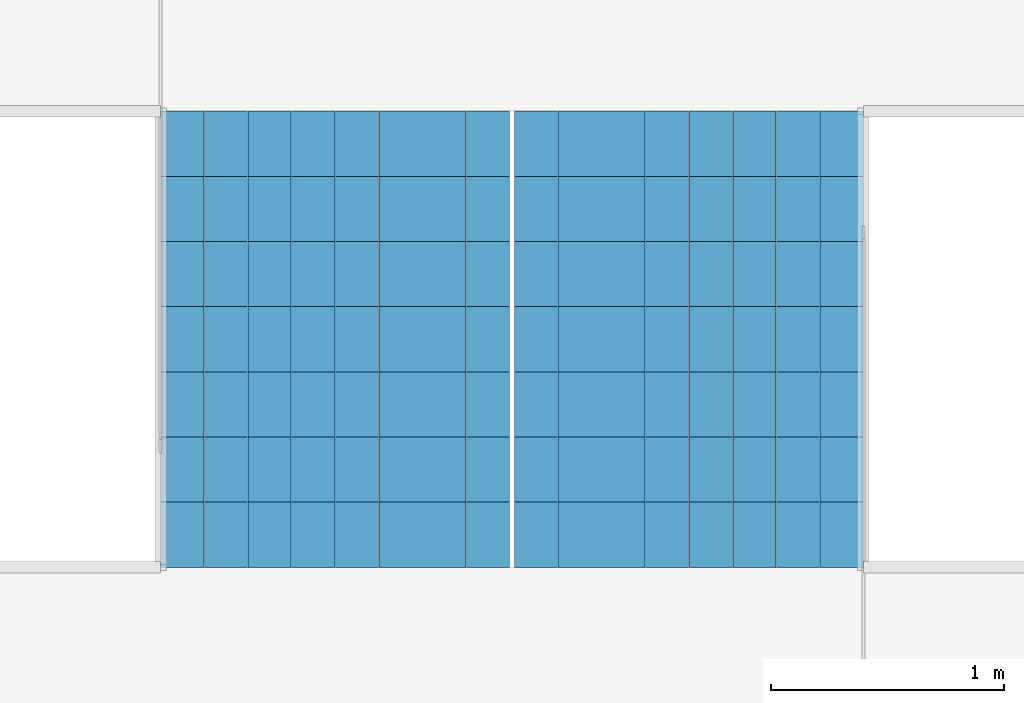
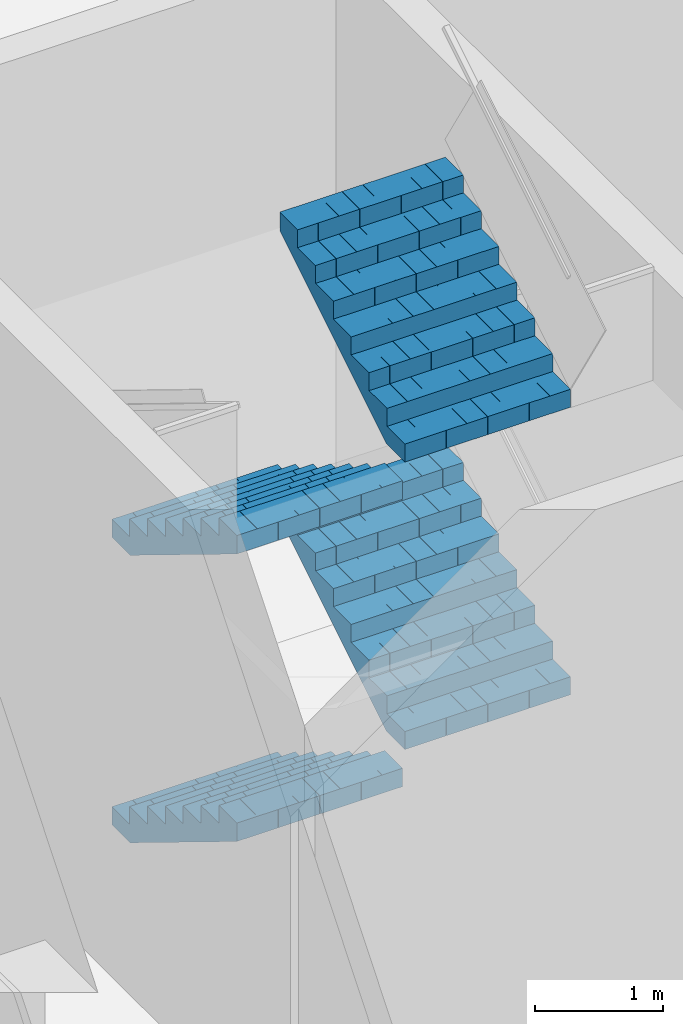
# One storey, part 25 of 27: 4 stair flights, 1 element without a shape of its own.
"""IFC4 building model written with IfcOpenShell, lengths in metres."""

from ifc_helpers import new_model, si_unit, direction, frame, origin, place, context, subcontext, project, spatial, polyline, outline, extrude, material, type_object, element, aggregate, save


model = new_model("IFC4")

# Units and contexts
model_context = context("Model", 3, precision=1e-05, world=origin(), true_north=direction((0.0, 1.0)))
body_context = subcontext(model_context, "Body", "Model", "MODEL_VIEW")
ifc_project = project(units=[si_unit("LENGTHUNIT", "METRE"), si_unit("AREAUNIT", "SQUARE_METRE"), si_unit("VOLUMEUNIT", "CUBIC_METRE"), si_unit("PLANEANGLEUNIT", "RADIAN"), si_unit("MASSUNIT", "GRAM", prefix="KILO")], contexts=[model_context])

# Site, building, storey
site_placement = place(None, origin())
site = spatial("IfcSite", under=ifc_project, at=site_placement, CompositionType="ELEMENT")
building_placement = place(site_placement, origin())
building = spatial("IfcBuilding", under=site, at=building_placement, Name="Kolab Exchange Tower", CompositionType="ELEMENT")
storey_placement = place(building_placement, frame((0.0, 0.0, 66.39990234375)))
storey = spatial("IfcBuildingStorey", under=building, at=storey_placement, Name="L12", CompositionType="ELEMENT", Elevation=66.39990234375)

# Stair, stair flights
ifc_material = material(Name="Concrete C50/60", Category="concrete")
stair_type = type_object("IfcStairType", Name="STAIR ST4 RISER 171.9", PredefinedType="DOUBLE_RETURN_STAIR", material=ifc_material)
stair_placement = place(storey_placement, origin())
stair = element("IfcStair", 1, at=stair_placement, inside=storey, type_object=stair_type, Name="Stair 4", PredefinedType="DOUBLE_RETURN_STAIR")
stair_flight_type = type_object("IfcStairFlightType", Name="STAIR FLIGHT 1500 RISER 171.9", PredefinedType="STRAIGHT", material=ifc_material)
stair_flight_1_placement = place(storey_placement, frame((18.43994140625, 0.64990234375, 0.0), z_axis=(0.0, 0.0, 1.0), x_axis=(0.0, -1.0, 0.0)))
stair_flight_1 = element("IfcStairFlight", 2, at=stair_flight_1_placement, type_object=stair_flight_type, Name="ST4 flight 1", NumberOfRisers=8, NumberOfTreads=7, PredefinedType="STRAIGHT", RiserHeight=0.171875, TreadLength=0.28, context=body_context, shape_type="SweptSolid", body=[
    extrude(outline(polyline([(0.0, 0.0), (0.0, 0.171875), (0.280029296875, 0.171875), (0.280029296875, 0.34375), (0.56005859375, 0.34375), (0.56005859375, 0.515625), (0.840087890625, 0.515625), (0.840087890625, 0.6875), (1.1201171875, 0.6875), (1.1201171875, 0.859375), (1.39990234375, 0.859375), (1.39990234375, 1.03125), (1.679931640625, 1.03125), (1.679931640625, 1.203125), (1.9599609375, 1.203125), (1.9599609375, 1.375), (1.9599609375, 1.02734375), (0.28662109375, 0.0), (0.0, 0.0)])), frame((0.0, 0.75, 0.0), z_axis=(0.0, -1.0, 0.0), x_axis=(1.0, 0.0, 0.0)), (0.0, 0.0, 1.0), 0.185791015625),
    extrude(outline(polyline([(0.0, 0.0), (0.0, 0.171875), (0.280029296875, 0.171875), (0.280029296875, 0.34375), (0.56005859375, 0.34375), (0.56005859375, 0.515625), (0.840087890625, 0.515625), (0.840087890625, 0.6875), (1.1201171875, 0.6875), (1.1201171875, 0.859375), (1.39990234375, 0.859375), (1.39990234375, 1.03125), (1.679931640625, 1.03125), (1.679931640625, 1.203125), (1.9599609375, 1.203125), (1.9599609375, 1.375), (1.9599609375, 1.02734375), (0.28662109375, 0.0), (0.0, 0.0)])), frame((0.0, 0.562255859375, 0.0), z_axis=(0.0, -1.0, 0.0), x_axis=(1.0, 0.0, 0.0)), (0.0, 0.0, 1.0), 0.185791015625),
    extrude(outline(polyline([(0.0, 0.0), (0.0, 0.171875), (0.280029296875, 0.171875), (0.280029296875, 0.34375), (0.56005859375, 0.34375), (0.56005859375, 0.515625), (0.840087890625, 0.515625), (0.840087890625, 0.6875), (1.1201171875, 0.6875), (1.1201171875, 0.859375), (1.39990234375, 0.859375), (1.39990234375, 1.03125), (1.679931640625, 1.03125), (1.679931640625, 1.203125), (1.9599609375, 1.203125), (1.9599609375, 1.375), (1.9599609375, 1.02734375), (0.28662109375, 0.0), (0.0, 0.0)])), frame((0.0, 0.37451171875, 0.0), z_axis=(0.0, -1.0, 0.0), x_axis=(1.0, 0.0, 0.0)), (0.0, 0.0, 1.0), 0.185791015625),
    extrude(outline(polyline([(0.0, 0.0), (0.0, 0.171875), (0.280029296875, 0.171875), (0.280029296875, 0.34375), (0.56005859375, 0.34375), (0.56005859375, 0.515625), (0.840087890625, 0.515625), (0.840087890625, 0.6875), (1.1201171875, 0.6875), (1.1201171875, 0.859375), (1.39990234375, 0.859375), (1.39990234375, 1.03125), (1.679931640625, 1.03125), (1.679931640625, 1.203125), (1.9599609375, 1.203125), (1.9599609375, 1.375), (1.9599609375, 1.02734375), (0.28662109375, 0.0), (0.0, 0.0)])), frame((0.0, 0.186767578125, 0.0), z_axis=(0.0, -1.0, 0.0), x_axis=(1.0, 0.0, 0.0)), (0.0, 0.0, 1.0), 0.185791015625),
    extrude(outline(polyline([(0.0, 0.0), (0.0, 0.171875), (0.280029296875, 0.171875), (0.280029296875, 0.34375), (0.56005859375, 0.34375), (0.56005859375, 0.515625), (0.840087890625, 0.515625), (0.840087890625, 0.6875), (1.1201171875, 0.6875), (1.1201171875, 0.859375), (1.39990234375, 0.859375), (1.39990234375, 1.03125), (1.679931640625, 1.03125), (1.679931640625, 1.203125), (1.9599609375, 1.203125), (1.9599609375, 1.375), (1.9599609375, 1.02734375), (0.28662109375, 0.0), (0.0, 0.0)])), frame((0.0, -0.0009765625, 0.0), z_axis=(0.0, -1.0, 0.0), x_axis=(1.0, 0.0, 0.0)), (0.0, 0.0, 1.0), 0.185791015625),
    extrude(outline(polyline([(0.0, 0.0), (0.0, 0.171875), (0.280029296875, 0.171875), (0.280029296875, 0.34375), (0.56005859375, 0.34375), (0.56005859375, 0.515625), (0.840087890625, 0.515625), (0.840087890625, 0.6875), (1.1201171875, 0.6875), (1.1201171875, 0.859375), (1.39990234375, 0.859375), (1.39990234375, 1.03125), (1.679931640625, 1.03125), (1.679931640625, 1.203125), (1.9599609375, 1.203125), (1.9599609375, 1.375), (1.9599609375, 1.02734375), (0.28662109375, 0.0), (0.0, 0.0)])), frame((0.0, -0.188720703125, 0.0), z_axis=(0.0, -1.0, 0.0), x_axis=(1.0, 0.0, 0.0)), (0.0, 0.0, 1.0), 0.185791015625),
    extrude(outline(polyline([(0.0, 0.0), (0.0, 0.171875), (0.280029296875, 0.171875), (0.280029296875, 0.34375), (0.56005859375, 0.34375), (0.56005859375, 0.515625), (0.840087890625, 0.515625), (0.840087890625, 0.6875), (1.1201171875, 0.6875), (1.1201171875, 0.859375), (1.39990234375, 0.859375), (1.39990234375, 1.03125), (1.679931640625, 1.03125), (1.679931640625, 1.203125), (1.9599609375, 1.203125), (1.9599609375, 1.375), (1.9599609375, 1.02734375), (0.28662109375, 0.0), (0.0, 0.0)])), frame((0.0, -0.37646484375, 0.0), z_axis=(0.0, -1.0, 0.0), x_axis=(1.0, 0.0, 0.0)), (0.0, 0.0, 1.0), 0.185791015625),
    extrude(outline(polyline([(0.0, 0.0), (0.0, 0.171875), (0.280029296875, 0.171875), (0.280029296875, 0.34375), (0.56005859375, 0.34375), (0.56005859375, 0.515625), (0.840087890625, 0.515625), (0.840087890625, 0.6875), (1.1201171875, 0.6875), (1.1201171875, 0.859375), (1.39990234375, 0.859375), (1.39990234375, 1.03125), (1.679931640625, 1.03125), (1.679931640625, 1.203125), (1.9599609375, 1.203125), (1.9599609375, 1.375), (1.9599609375, 1.02734375), (0.28662109375, 0.0), (0.0, 0.0)])), frame((0.0, -0.564208984375, 0.0), z_axis=(0.0, -1.0, 0.0), x_axis=(1.0, 0.0, 0.0)), (0.0, 0.0, 1.0), 0.185791015625),
])
stair_flight_2_placement = place(storey_placement, frame((19.9599609375, -1.31005859375, 1.375), z_axis=(0.0, 0.0, 1.0), x_axis=(0.0, 1.0, 0.0)))
stair_flight_2 = element("IfcStairFlight", 3, at=stair_flight_2_placement, type_object=stair_flight_type, Name="ST4 flight 2", NumberOfRisers=8, NumberOfTreads=7, PredefinedType="STRAIGHT", RiserHeight=0.171875, TreadLength=0.28, context=body_context, shape_type="SweptSolid", body=[
    extrude(outline(polyline([(0.0, 0.0), (0.0, 0.171875), (0.280029296875, 0.171875), (0.280029296875, 0.34375), (0.56005859375, 0.34375), (0.56005859375, 0.515625), (0.840087890625, 0.515625), (0.840087890625, 0.6875), (1.1201171875, 0.6875), (1.1201171875, 0.859375), (1.39990234375, 0.859375), (1.39990234375, 1.03125), (1.679931640625, 1.03125), (1.679931640625, 1.203125), (1.9599609375, 1.203125), (1.9599609375, 1.375), (1.9599609375, 1.02734375), (0.28662109375, 0.0), (0.0, 0.0)])), frame((0.0, 0.75, 0.0), z_axis=(0.0, -1.0, 0.0), x_axis=(1.0, 0.0, 0.0)), (0.0, 0.0, 1.0), 0.185791015625),
    extrude(outline(polyline([(0.0, 0.0), (0.0, 0.171875), (0.280029296875, 0.171875), (0.280029296875, 0.34375), (0.56005859375, 0.34375), (0.56005859375, 0.515625), (0.840087890625, 0.515625), (0.840087890625, 0.6875), (1.1201171875, 0.6875), (1.1201171875, 0.859375), (1.39990234375, 0.859375), (1.39990234375, 1.03125), (1.679931640625, 1.03125), (1.679931640625, 1.203125), (1.9599609375, 1.203125), (1.9599609375, 1.375), (1.9599609375, 1.02734375), (0.28662109375, 0.0), (0.0, 0.0)])), frame((0.0, 0.562255859375, 0.0), z_axis=(0.0, -1.0, 0.0), x_axis=(1.0, 0.0, 0.0)), (0.0, 0.0, 1.0), 0.185791015625),
    extrude(outline(polyline([(0.0, 0.0), (0.0, 0.171875), (0.280029296875, 0.171875), (0.280029296875, 0.34375), (0.56005859375, 0.34375), (0.56005859375, 0.515625), (0.840087890625, 0.515625), (0.840087890625, 0.6875), (1.1201171875, 0.6875), (1.1201171875, 0.859375), (1.39990234375, 0.859375), (1.39990234375, 1.03125), (1.679931640625, 1.03125), (1.679931640625, 1.203125), (1.9599609375, 1.203125), (1.9599609375, 1.375), (1.9599609375, 1.02734375), (0.28662109375, 0.0), (0.0, 0.0)])), frame((0.0, 0.37451171875, 0.0), z_axis=(0.0, -1.0, 0.0), x_axis=(1.0, 0.0, 0.0)), (0.0, 0.0, 1.0), 0.185791015625),
    extrude(outline(polyline([(0.0, 0.0), (0.0, 0.171875), (0.280029296875, 0.171875), (0.280029296875, 0.34375), (0.56005859375, 0.34375), (0.56005859375, 0.515625), (0.840087890625, 0.515625), (0.840087890625, 0.6875), (1.1201171875, 0.6875), (1.1201171875, 0.859375), (1.39990234375, 0.859375), (1.39990234375, 1.03125), (1.679931640625, 1.03125), (1.679931640625, 1.203125), (1.9599609375, 1.203125), (1.9599609375, 1.375), (1.9599609375, 1.02734375), (0.28662109375, 0.0), (0.0, 0.0)])), frame((0.0, 0.186767578125, 0.0), z_axis=(0.0, -1.0, 0.0), x_axis=(1.0, 0.0, 0.0)), (0.0, 0.0, 1.0), 0.185791015625),
    extrude(outline(polyline([(0.0, 0.0), (0.0, 0.171875), (0.280029296875, 0.171875), (0.280029296875, 0.34375), (0.56005859375, 0.34375), (0.56005859375, 0.515625), (0.840087890625, 0.515625), (0.840087890625, 0.6875), (1.1201171875, 0.6875), (1.1201171875, 0.859375), (1.39990234375, 0.859375), (1.39990234375, 1.03125), (1.679931640625, 1.03125), (1.679931640625, 1.203125), (1.9599609375, 1.203125), (1.9599609375, 1.375), (1.9599609375, 1.02734375), (0.28662109375, 0.0), (0.0, 0.0)])), frame((0.0, -0.0009765625, 0.0), z_axis=(0.0, -1.0, 0.0), x_axis=(1.0, 0.0, 0.0)), (0.0, 0.0, 1.0), 0.185791015625),
    extrude(outline(polyline([(0.0, 0.0), (0.0, 0.171875), (0.280029296875, 0.171875), (0.280029296875, 0.34375), (0.56005859375, 0.34375), (0.56005859375, 0.515625), (0.840087890625, 0.515625), (0.840087890625, 0.6875), (1.1201171875, 0.6875), (1.1201171875, 0.859375), (1.39990234375, 0.859375), (1.39990234375, 1.03125), (1.679931640625, 1.03125), (1.679931640625, 1.203125), (1.9599609375, 1.203125), (1.9599609375, 1.375), (1.9599609375, 1.02734375), (0.28662109375, 0.0), (0.0, 0.0)])), frame((0.0, -0.188720703125, 0.0), z_axis=(0.0, -1.0, 0.0), x_axis=(1.0, 0.0, 0.0)), (0.0, 0.0, 1.0), 0.185791015625),
    extrude(outline(polyline([(0.0, 0.0), (0.0, 0.171875), (0.280029296875, 0.171875), (0.280029296875, 0.34375), (0.56005859375, 0.34375), (0.56005859375, 0.515625), (0.840087890625, 0.515625), (0.840087890625, 0.6875), (1.1201171875, 0.6875), (1.1201171875, 0.859375), (1.39990234375, 0.859375), (1.39990234375, 1.03125), (1.679931640625, 1.03125), (1.679931640625, 1.203125), (1.9599609375, 1.203125), (1.9599609375, 1.375), (1.9599609375, 1.02734375), (0.28662109375, 0.0), (0.0, 0.0)])), frame((0.0, -0.37646484375, 0.0), z_axis=(0.0, -1.0, 0.0), x_axis=(1.0, 0.0, 0.0)), (0.0, 0.0, 1.0), 0.185791015625),
    extrude(outline(polyline([(0.0, 0.0), (0.0, 0.171875), (0.280029296875, 0.171875), (0.280029296875, 0.34375), (0.56005859375, 0.34375), (0.56005859375, 0.515625), (0.840087890625, 0.515625), (0.840087890625, 0.6875), (1.1201171875, 0.6875), (1.1201171875, 0.859375), (1.39990234375, 0.859375), (1.39990234375, 1.03125), (1.679931640625, 1.03125), (1.679931640625, 1.203125), (1.9599609375, 1.203125), (1.9599609375, 1.375), (1.9599609375, 1.02734375), (0.28662109375, 0.0), (0.0, 0.0)])), frame((0.0, -0.564208984375, 0.0), z_axis=(0.0, -1.0, 0.0), x_axis=(1.0, 0.0, 0.0)), (0.0, 0.0, 1.0), 0.185791015625),
])
stair_flight_3_placement = place(storey_placement, frame((18.43994140625, 0.64990234375, 2.75), z_axis=(0.0, 0.0, 1.0), x_axis=(0.0, -1.0, 0.0)))
stair_flight_3 = element("IfcStairFlight", 4, at=stair_flight_3_placement, type_object=stair_flight_type, Name="ST4 flight 3", NumberOfRisers=8, NumberOfTreads=7, PredefinedType="STRAIGHT", RiserHeight=0.171875, TreadLength=0.28, context=body_context, shape_type="SweptSolid", body=[
    extrude(outline(polyline([(0.0, 0.0), (0.0, 0.171875), (0.280029296875, 0.171875), (0.280029296875, 0.34375), (0.56005859375, 0.34375), (0.56005859375, 0.515625), (0.840087890625, 0.515625), (0.840087890625, 0.6875), (1.1201171875, 0.6875), (1.1201171875, 0.859375), (1.39990234375, 0.859375), (1.39990234375, 1.03125), (1.679931640625, 1.03125), (1.679931640625, 1.203125), (1.9599609375, 1.203125), (1.9599609375, 1.375), (1.9599609375, 1.02734375), (0.28662109375, 0.0), (0.0, 0.0)])), frame((0.0, 0.75, 0.0), z_axis=(0.0, -1.0, 0.0), x_axis=(1.0, 0.0, 0.0)), (0.0, 0.0, 1.0), 0.185791015625),
    extrude(outline(polyline([(0.0, 0.0), (0.0, 0.171875), (0.280029296875, 0.171875), (0.280029296875, 0.34375), (0.56005859375, 0.34375), (0.56005859375, 0.515625), (0.840087890625, 0.515625), (0.840087890625, 0.6875), (1.1201171875, 0.6875), (1.1201171875, 0.859375), (1.39990234375, 0.859375), (1.39990234375, 1.03125), (1.679931640625, 1.03125), (1.679931640625, 1.203125), (1.9599609375, 1.203125), (1.9599609375, 1.375), (1.9599609375, 1.02734375), (0.28662109375, 0.0), (0.0, 0.0)])), frame((0.0, 0.562255859375, 0.0), z_axis=(0.0, -1.0, 0.0), x_axis=(1.0, 0.0, 0.0)), (0.0, 0.0, 1.0), 0.185791015625),
    extrude(outline(polyline([(0.0, 0.0), (0.0, 0.171875), (0.280029296875, 0.171875), (0.280029296875, 0.34375), (0.56005859375, 0.34375), (0.56005859375, 0.515625), (0.840087890625, 0.515625), (0.840087890625, 0.6875), (1.1201171875, 0.6875), (1.1201171875, 0.859375), (1.39990234375, 0.859375), (1.39990234375, 1.03125), (1.679931640625, 1.03125), (1.679931640625, 1.203125), (1.9599609375, 1.203125), (1.9599609375, 1.375), (1.9599609375, 1.02734375), (0.28662109375, 0.0), (0.0, 0.0)])), frame((0.0, 0.37451171875, 0.0), z_axis=(0.0, -1.0, 0.0), x_axis=(1.0, 0.0, 0.0)), (0.0, 0.0, 1.0), 0.185791015625),
    extrude(outline(polyline([(0.0, 0.0), (0.0, 0.171875), (0.280029296875, 0.171875), (0.280029296875, 0.34375), (0.56005859375, 0.34375), (0.56005859375, 0.515625), (0.840087890625, 0.515625), (0.840087890625, 0.6875), (1.1201171875, 0.6875), (1.1201171875, 0.859375), (1.39990234375, 0.859375), (1.39990234375, 1.03125), (1.679931640625, 1.03125), (1.679931640625, 1.203125), (1.9599609375, 1.203125), (1.9599609375, 1.375), (1.9599609375, 1.02734375), (0.28662109375, 0.0), (0.0, 0.0)])), frame((0.0, 0.186767578125, 0.0), z_axis=(0.0, -1.0, 0.0), x_axis=(1.0, 0.0, 0.0)), (0.0, 0.0, 1.0), 0.185791015625),
    extrude(outline(polyline([(0.0, 0.0), (0.0, 0.171875), (0.280029296875, 0.171875), (0.280029296875, 0.34375), (0.56005859375, 0.34375), (0.56005859375, 0.515625), (0.840087890625, 0.515625), (0.840087890625, 0.6875), (1.1201171875, 0.6875), (1.1201171875, 0.859375), (1.39990234375, 0.859375), (1.39990234375, 1.03125), (1.679931640625, 1.03125), (1.679931640625, 1.203125), (1.9599609375, 1.203125), (1.9599609375, 1.375), (1.9599609375, 1.02734375), (0.28662109375, 0.0), (0.0, 0.0)])), frame((0.0, -0.0009765625, 0.0), z_axis=(0.0, -1.0, 0.0), x_axis=(1.0, 0.0, 0.0)), (0.0, 0.0, 1.0), 0.185791015625),
    extrude(outline(polyline([(0.0, 0.0), (0.0, 0.171875), (0.280029296875, 0.171875), (0.280029296875, 0.34375), (0.56005859375, 0.34375), (0.56005859375, 0.515625), (0.840087890625, 0.515625), (0.840087890625, 0.6875), (1.1201171875, 0.6875), (1.1201171875, 0.859375), (1.39990234375, 0.859375), (1.39990234375, 1.03125), (1.679931640625, 1.03125), (1.679931640625, 1.203125), (1.9599609375, 1.203125), (1.9599609375, 1.375), (1.9599609375, 1.02734375), (0.28662109375, 0.0), (0.0, 0.0)])), frame((0.0, -0.188720703125, 0.0), z_axis=(0.0, -1.0, 0.0), x_axis=(1.0, 0.0, 0.0)), (0.0, 0.0, 1.0), 0.185791015625),
    extrude(outline(polyline([(0.0, 0.0), (0.0, 0.171875), (0.280029296875, 0.171875), (0.280029296875, 0.34375), (0.56005859375, 0.34375), (0.56005859375, 0.515625), (0.840087890625, 0.515625), (0.840087890625, 0.6875), (1.1201171875, 0.6875), (1.1201171875, 0.859375), (1.39990234375, 0.859375), (1.39990234375, 1.03125), (1.679931640625, 1.03125), (1.679931640625, 1.203125), (1.9599609375, 1.203125), (1.9599609375, 1.375), (1.9599609375, 1.02734375), (0.28662109375, 0.0), (0.0, 0.0)])), frame((0.0, -0.37646484375, 0.0), z_axis=(0.0, -1.0, 0.0), x_axis=(1.0, 0.0, 0.0)), (0.0, 0.0, 1.0), 0.185791015625),
    extrude(outline(polyline([(0.0, 0.0), (0.0, 0.171875), (0.280029296875, 0.171875), (0.280029296875, 0.34375), (0.56005859375, 0.34375), (0.56005859375, 0.515625), (0.840087890625, 0.515625), (0.840087890625, 0.6875), (1.1201171875, 0.6875), (1.1201171875, 0.859375), (1.39990234375, 0.859375), (1.39990234375, 1.03125), (1.679931640625, 1.03125), (1.679931640625, 1.203125), (1.9599609375, 1.203125), (1.9599609375, 1.375), (1.9599609375, 1.02734375), (0.28662109375, 0.0), (0.0, 0.0)])), frame((0.0, -0.564208984375, 0.0), z_axis=(0.0, -1.0, 0.0), x_axis=(1.0, 0.0, 0.0)), (0.0, 0.0, 1.0), 0.185791015625),
])
stair_flight_4_placement = place(storey_placement, frame((19.9599609375, -1.31005859375, 4.125), z_axis=(0.0, 0.0, 1.0), x_axis=(0.0, 1.0, 0.0)))
stair_flight_4 = element("IfcStairFlight", 5, at=stair_flight_4_placement, type_object=stair_flight_type, Name="ST4 flight 4", NumberOfRisers=8, NumberOfTreads=7, PredefinedType="STRAIGHT", RiserHeight=0.171875, TreadLength=0.28, context=body_context, shape_type="SweptSolid", body=[
    extrude(outline(polyline([(0.0, 0.0), (0.0, 0.171875), (0.280029296875, 0.171875), (0.280029296875, 0.34375), (0.56005859375, 0.34375), (0.56005859375, 0.515625), (0.840087890625, 0.515625), (0.840087890625, 0.6875), (1.1201171875, 0.6875), (1.1201171875, 0.859375), (1.39990234375, 0.859375), (1.39990234375, 1.03125), (1.679931640625, 1.03125), (1.679931640625, 1.203125), (1.9599609375, 1.203125), (1.9599609375, 1.375), (1.9599609375, 1.02734375), (0.28662109375, 0.0), (0.0, 0.0)])), frame((0.0, 0.75, 0.0), z_axis=(0.0, -1.0, 0.0), x_axis=(1.0, 0.0, 0.0)), (0.0, 0.0, 1.0), 0.185791015625),
    extrude(outline(polyline([(0.0, 0.0), (0.0, 0.171875), (0.280029296875, 0.171875), (0.280029296875, 0.34375), (0.56005859375, 0.34375), (0.56005859375, 0.515625), (0.840087890625, 0.515625), (0.840087890625, 0.6875), (1.1201171875, 0.6875), (1.1201171875, 0.859375), (1.39990234375, 0.859375), (1.39990234375, 1.03125), (1.679931640625, 1.03125), (1.679931640625, 1.203125), (1.9599609375, 1.203125), (1.9599609375, 1.375), (1.9599609375, 1.02734375), (0.28662109375, 0.0), (0.0, 0.0)])), frame((0.0, 0.562255859375, 0.0), z_axis=(0.0, -1.0, 0.0), x_axis=(1.0, 0.0, 0.0)), (0.0, 0.0, 1.0), 0.185791015625),
    extrude(outline(polyline([(0.0, 0.0), (0.0, 0.171875), (0.280029296875, 0.171875), (0.280029296875, 0.34375), (0.56005859375, 0.34375), (0.56005859375, 0.515625), (0.840087890625, 0.515625), (0.840087890625, 0.6875), (1.1201171875, 0.6875), (1.1201171875, 0.859375), (1.39990234375, 0.859375), (1.39990234375, 1.03125), (1.679931640625, 1.03125), (1.679931640625, 1.203125), (1.9599609375, 1.203125), (1.9599609375, 1.375), (1.9599609375, 1.02734375), (0.28662109375, 0.0), (0.0, 0.0)])), frame((0.0, 0.37451171875, 0.0), z_axis=(0.0, -1.0, 0.0), x_axis=(1.0, 0.0, 0.0)), (0.0, 0.0, 1.0), 0.185791015625),
    extrude(outline(polyline([(0.0, 0.0), (0.0, 0.171875), (0.280029296875, 0.171875), (0.280029296875, 0.34375), (0.56005859375, 0.34375), (0.56005859375, 0.515625), (0.840087890625, 0.515625), (0.840087890625, 0.6875), (1.1201171875, 0.6875), (1.1201171875, 0.859375), (1.39990234375, 0.859375), (1.39990234375, 1.03125), (1.679931640625, 1.03125), (1.679931640625, 1.203125), (1.9599609375, 1.203125), (1.9599609375, 1.375), (1.9599609375, 1.02734375), (0.28662109375, 0.0), (0.0, 0.0)])), frame((0.0, 0.186767578125, 0.0), z_axis=(0.0, -1.0, 0.0), x_axis=(1.0, 0.0, 0.0)), (0.0, 0.0, 1.0), 0.185791015625),
    extrude(outline(polyline([(0.0, 0.0), (0.0, 0.171875), (0.280029296875, 0.171875), (0.280029296875, 0.34375), (0.56005859375, 0.34375), (0.56005859375, 0.515625), (0.840087890625, 0.515625), (0.840087890625, 0.6875), (1.1201171875, 0.6875), (1.1201171875, 0.859375), (1.39990234375, 0.859375), (1.39990234375, 1.03125), (1.679931640625, 1.03125), (1.679931640625, 1.203125), (1.9599609375, 1.203125), (1.9599609375, 1.375), (1.9599609375, 1.02734375), (0.28662109375, 0.0), (0.0, 0.0)])), frame((0.0, -0.0009765625, 0.0), z_axis=(0.0, -1.0, 0.0), x_axis=(1.0, 0.0, 0.0)), (0.0, 0.0, 1.0), 0.185791015625),
    extrude(outline(polyline([(0.0, 0.0), (0.0, 0.171875), (0.280029296875, 0.171875), (0.280029296875, 0.34375), (0.56005859375, 0.34375), (0.56005859375, 0.515625), (0.840087890625, 0.515625), (0.840087890625, 0.6875), (1.1201171875, 0.6875), (1.1201171875, 0.859375), (1.39990234375, 0.859375), (1.39990234375, 1.03125), (1.679931640625, 1.03125), (1.679931640625, 1.203125), (1.9599609375, 1.203125), (1.9599609375, 1.375), (1.9599609375, 1.02734375), (0.28662109375, 0.0), (0.0, 0.0)])), frame((0.0, -0.188720703125, 0.0), z_axis=(0.0, -1.0, 0.0), x_axis=(1.0, 0.0, 0.0)), (0.0, 0.0, 1.0), 0.185791015625),
    extrude(outline(polyline([(0.0, 0.0), (0.0, 0.171875), (0.280029296875, 0.171875), (0.280029296875, 0.34375), (0.56005859375, 0.34375), (0.56005859375, 0.515625), (0.840087890625, 0.515625), (0.840087890625, 0.6875), (1.1201171875, 0.6875), (1.1201171875, 0.859375), (1.39990234375, 0.859375), (1.39990234375, 1.03125), (1.679931640625, 1.03125), (1.679931640625, 1.203125), (1.9599609375, 1.203125), (1.9599609375, 1.375), (1.9599609375, 1.02734375), (0.28662109375, 0.0), (0.0, 0.0)])), frame((0.0, -0.37646484375, 0.0), z_axis=(0.0, -1.0, 0.0), x_axis=(1.0, 0.0, 0.0)), (0.0, 0.0, 1.0), 0.185791015625),
    extrude(outline(polyline([(0.0, 0.0), (0.0, 0.171875), (0.280029296875, 0.171875), (0.280029296875, 0.34375), (0.56005859375, 0.34375), (0.56005859375, 0.515625), (0.840087890625, 0.515625), (0.840087890625, 0.6875), (1.1201171875, 0.6875), (1.1201171875, 0.859375), (1.39990234375, 0.859375), (1.39990234375, 1.03125), (1.679931640625, 1.03125), (1.679931640625, 1.203125), (1.9599609375, 1.203125), (1.9599609375, 1.375), (1.9599609375, 1.02734375), (0.28662109375, 0.0), (0.0, 0.0)])), frame((0.0, -0.564208984375, 0.0), z_axis=(0.0, -1.0, 0.0), x_axis=(1.0, 0.0, 0.0)), (0.0, 0.0, 1.0), 0.185791015625),
])
aggregate(stair, [stair_flight_1, stair_flight_2, stair_flight_3, stair_flight_4])

save(model, "model.ifc")
